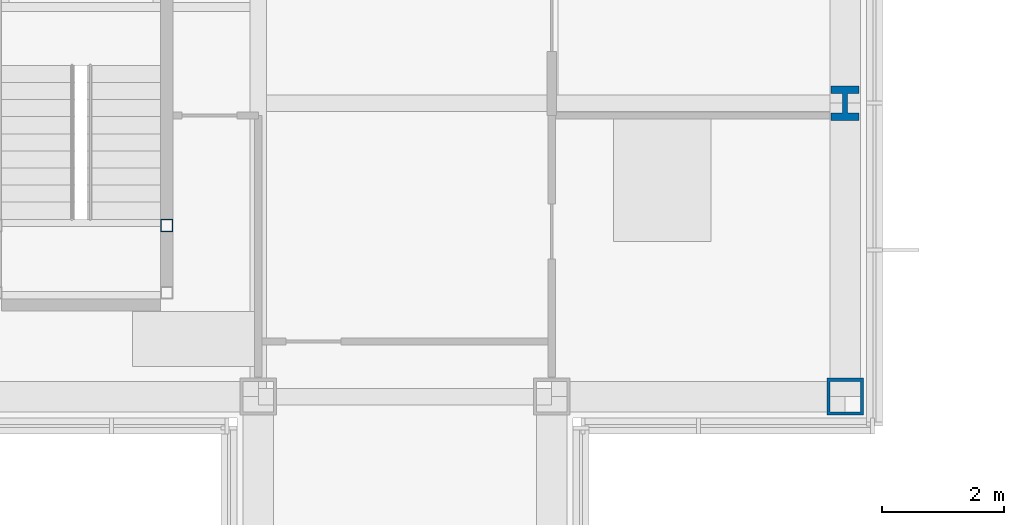
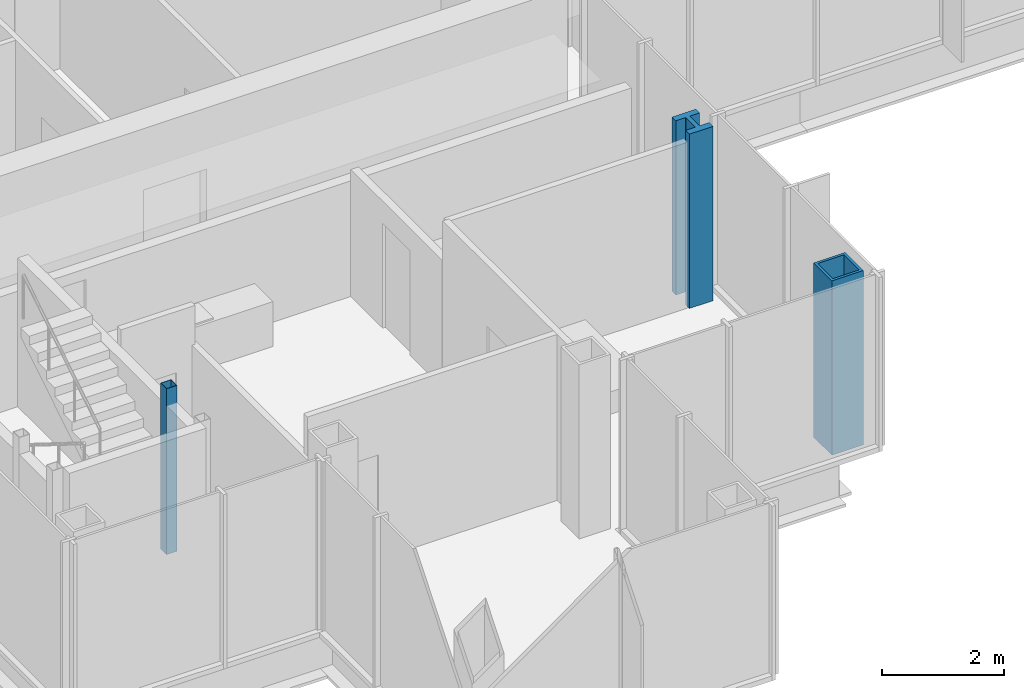
# One storey, part 2 of 15: 3 columns.
"""IFC4 building model written with IfcOpenShell, lengths in metres."""

from ifc_helpers import new_model, si_unit, direction, frame, origin, origin_2d, place, context, subcontext, project, spatial, hollow_rectangle, i_section, extrude, material, material_profile, profile_set, type_object, element, save


model = new_model("IFC4")

# Units and contexts
model_context = context("Model", 3, precision=1e-05, world=origin(), true_north=direction((0.0, 1.0)))
body_context = subcontext(model_context, "Body", "Model", "MODEL_VIEW")
ifc_project = project(units=[si_unit("LENGTHUNIT", "METRE"), si_unit("AREAUNIT", "SQUARE_METRE"), si_unit("VOLUMEUNIT", "CUBIC_METRE"), si_unit("PLANEANGLEUNIT", "RADIAN"), si_unit("MASSUNIT", "GRAM", prefix="KILO")], contexts=[model_context])

# Site, building, storey
site_placement = place(None, origin())
site = spatial("IfcSite", under=ifc_project, at=site_placement, CompositionType="ELEMENT")
building_placement = place(site_placement, origin())
building = spatial("IfcBuilding", under=site, at=building_placement, Name="Kvirike Care Tower", CompositionType="ELEMENT")
storey_placement = place(building_placement, frame((0.0, 0.0, 198.0)))
storey = spatial("IfcBuildingStorey", under=building, at=storey_placement, Name="L54", CompositionType="ELEMENT", Elevation=198.0)

# Columns
ifc_material_1 = material(Name="Steel S460", Category="steel")
ifc_material_profile_1 = material_profile(ifc_material_1, hollow_rectangle(XDim=0.60009765625, YDim=0.60009765625, WallThickness=0.050048828125, at=origin_2d()), Name="BX 600x600x50")
ifc_profile_set_1 = profile_set([ifc_material_profile_1], Name="Steel S460")
column_type_1 = type_object("IfcColumnType", Name="COLUMN BX 600x600x50", PredefinedType="COLUMN", material=ifc_profile_set_1)
column_1_placement = place(storey_placement, frame((28.800048828125, 19.199951171875, 0.0), z_axis=(0.0, 0.0, 1.0), x_axis=(0.0, 1.0, 0.0)))
element("IfcColumn", 1, at=column_1_placement, inside=storey, type_object=column_type_1, Name="Column E9 L54", PredefinedType="COLUMN", context=body_context, shape_type="SweptSolid", body=[
    extrude(hollow_rectangle(XDim=0.60009765625, YDim=0.60009765625, WallThickness=0.050048828125, at=origin_2d()), origin(), (0.0, 0.0, 1.0), 3.5),
])
ifc_material_2 = material(Name="Steel S460", Category="steel")
ifc_material_profile_2 = material_profile(ifc_material_2, i_section(OverallWidth=0.4541015625, OverallDepth=0.569091796875, WebThickness=0.077880859375, FlangeThickness=0.125, FilletRadius=0.014892578125, at=origin_2d()), Name="HD 400x1086")
ifc_profile_set_2 = profile_set([ifc_material_profile_2], Name="Steel S460")
column_type_2 = type_object("IfcColumnType", Name="COLUMN HD 400x1086", PredefinedType="COLUMN", material=ifc_profile_set_2)
column_2_placement = place(storey_placement, frame((28.800048828125, 24.0, 0.0), z_axis=(0.0, 0.0, 1.0), x_axis=(1.0, 0.0, 0.0)))
element("IfcColumn", 2, at=column_2_placement, inside=storey, type_object=column_type_2, Name="Column F9 L54", PredefinedType="COLUMN", context=body_context, shape_type="SweptSolid", body=[
    extrude(i_section(OverallWidth=0.4541015625, OverallDepth=0.569091796875, WebThickness=0.077880859375, FlangeThickness=0.125, FilletRadius=0.014892578125, at=origin_2d()), origin(), (0.0, 0.0, 1.0), 3.5),
])
ifc_material_3 = material(Name="Steel S460", Category="steel")
ifc_material_profile_3 = material_profile(ifc_material_3, hollow_rectangle(XDim=0.199951171875, YDim=0.199951171875, WallThickness=0.008056640625, at=origin_2d()), Name="SHS 200x200x8")
ifc_profile_set_3 = profile_set([ifc_material_profile_3], Name="Steel S460")
column_type_3 = type_object("IfcColumnType", Name="STAIR POST SHS 200x200x8", PredefinedType="COLUMN", material=ifc_profile_set_3)
column_3_placement = place(storey_placement, frame((17.699951171875, 22.0, 0.0), z_axis=(0.0, 0.0, 1.0), x_axis=(1.0, 0.0, 0.0)))
element("IfcColumn", 3, at=column_3_placement, inside=storey, type_object=column_type_3, Name="Stair 5 post 4 L54", PredefinedType="COLUMN", context=body_context, shape_type="SweptSolid", body=[
    extrude(hollow_rectangle(XDim=0.199951171875, YDim=0.199951171875, WallThickness=0.008056640625, at=origin_2d()), origin(), (0.0, 0.0, 1.0), 3.330078125),
])

save(model, "model.ifc")
